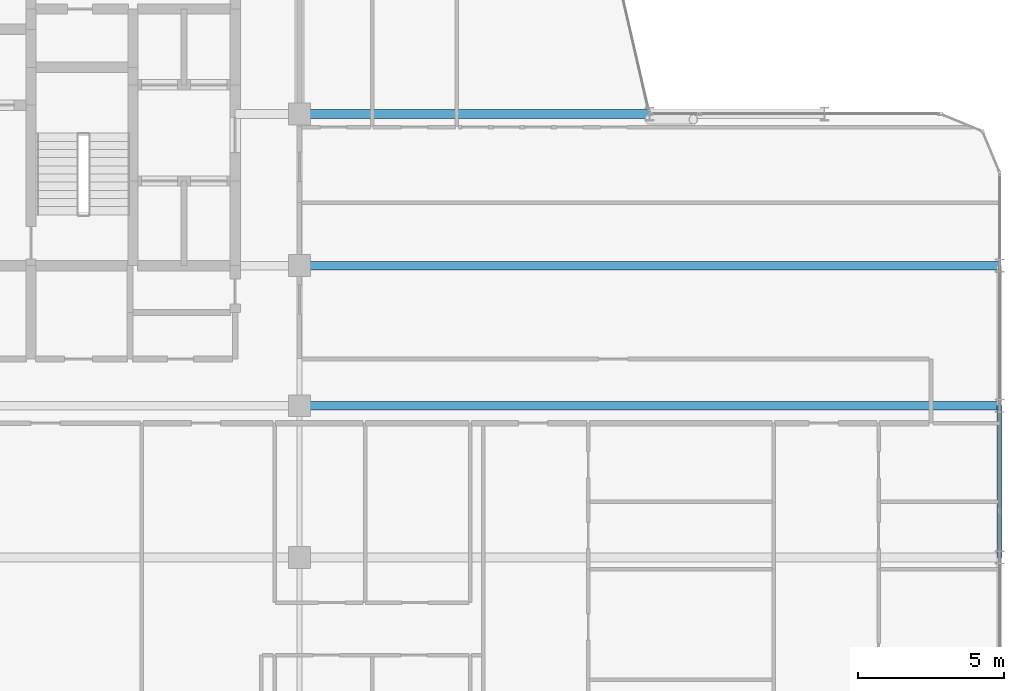
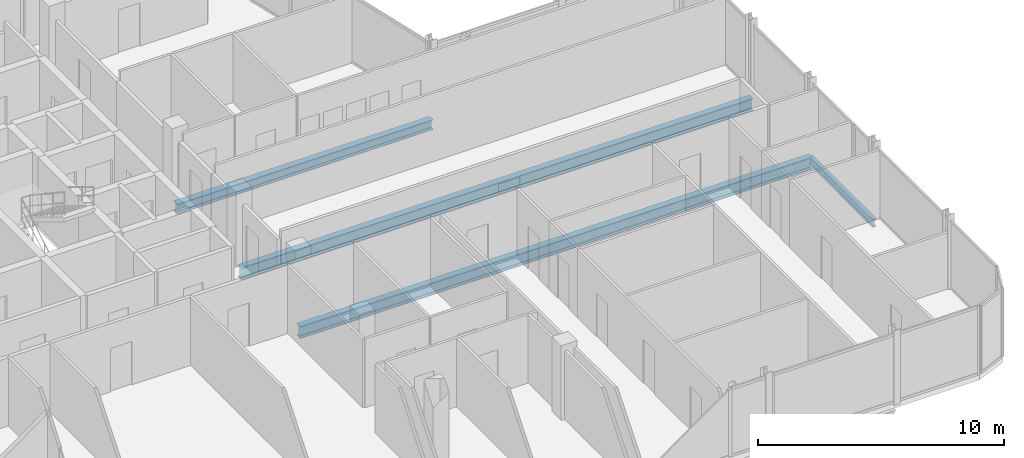
# One storey, part 13 of 29: 4 beams.
"""IFC4 building model written with IfcOpenShell, lengths in metres."""

from ifc_helpers import new_model, si_unit, direction, frame, origin, origin_2d, place, context, subcontext, project, spatial, i_section, extrude, material, material_profile, profile_set, type_object, element, save


model = new_model("IFC4")

# Units and contexts
model_context = context("Model", 3, precision=1e-05, world=origin(), true_north=direction((0.0, 1.0)))
body_context = subcontext(model_context, "Body", "Model", "MODEL_VIEW")
ifc_project = project(units=[si_unit("LENGTHUNIT", "METRE"), si_unit("AREAUNIT", "SQUARE_METRE"), si_unit("VOLUMEUNIT", "CUBIC_METRE"), si_unit("PLANEANGLEUNIT", "RADIAN"), si_unit("MASSUNIT", "GRAM", prefix="KILO")], contexts=[model_context])

# Site, building, storey
site_placement = place(None, origin())
site = spatial("IfcSite", under=ifc_project, at=site_placement, CompositionType="ELEMENT")
building_placement = place(site_placement, origin())
building = spatial("IfcBuilding", under=site, at=building_placement, Name="Keshet Zoharim Tower", CompositionType="ELEMENT")
storey_placement = place(building_placement, frame((0.0, 0.0, 206.89990234375)))
storey = spatial("IfcBuildingStorey", under=building, at=storey_placement, Name="L51", CompositionType="ELEMENT", Elevation=206.89990234375)

# Beams
ifc_material = material(Name="Steel S355", Category="steel")
ifc_material_profile_1 = material_profile(ifc_material, i_section(OverallWidth=0.300048828125, OverallDepth=0.60009765625, WebThickness=0.015380859375, FlangeThickness=0.030029296875, FilletRadius=0.027099609375, at=origin_2d()), Name="HEB600")
ifc_profile_set_1 = profile_set([ifc_material_profile_1], Name="Steel S355")
beam_type_1 = type_object("IfcBeamType", Name="BM-LNG-HB600", PredefinedType="BEAM", material=ifc_profile_set_1)
for number, where, z_axis, x_axis, name in (
    (1, (33.0, 17.89990234375, -0.60986328125), (1.0, 0.0, 0.0), (0.0, 1.0, 0.0), "L51 Primary Girder X-013"),
    (2, (33.0, 22.699951171875, -0.60986328125), (1.0, 0.0, 0.0), (0.0, 1.0, 0.0), "L51 Primary Girder X-014"),
):
    element("IfcBeam", number, at=place(storey_placement, frame(where, z_axis=z_axis, x_axis=x_axis)), inside=storey, type_object=beam_type_1, Name=name, PredefinedType="BEAM", context=body_context, shape_type="SweptSolid", body=[
        extrude(i_section(OverallWidth=0.300048828125, OverallDepth=0.60009765625, WebThickness=0.015380859375, FlangeThickness=0.030029296875, FilletRadius=0.027099609375, at=origin_2d()), origin(), (0.0, 0.0, 1.0), 24.0),
    ])
ifc_material_profile_2 = material_profile(ifc_material, i_section(OverallWidth=0.300048828125, OverallDepth=0.5, WebThickness=0.014404296875, FlangeThickness=0.028076171875, FilletRadius=0.027099609375, at=origin_2d()), Name="HEB500")
ifc_profile_set_2 = profile_set([ifc_material_profile_2], Name="Steel S355")
beam_type_2 = type_object("IfcBeamType", Name="BM-MED-HB500", PredefinedType="BEAM", material=ifc_profile_set_2)
beam_1_placement = place(storey_placement, frame((33.0, 27.89990234375, -0.559814453125), z_axis=(1.0, 0.0, 0.0), x_axis=(0.0, 1.0, 0.0)))
element("IfcBeam", 3, at=beam_1_placement, inside=storey, type_object=beam_type_2, Name="L51 Primary Girder X-015", PredefinedType="BEAM", context=body_context, shape_type="SweptSolid", body=[
    extrude(i_section(OverallWidth=0.300048828125, OverallDepth=0.5, WebThickness=0.014404296875, FlangeThickness=0.028076171875, FilletRadius=0.027099609375, at=origin_2d()), origin(), (0.0, 0.0, 1.0), 12.0),
])
ifc_material_profile_3 = material_profile(ifc_material, i_section(OverallWidth=0.179931640625, OverallDepth=0.39990234375, WebThickness=0.008544921875, FlangeThickness=0.013427734375, FilletRadius=0.02099609375, at=origin_2d()), Name="IPE400")
ifc_profile_set_3 = profile_set([ifc_material_profile_3], Name="Steel S355")
beam_type_3 = type_object("IfcBeamType", Name="BM-PRI-IP400", PredefinedType="BEAM", material=ifc_profile_set_3)
beam_2_placement = place(storey_placement, frame((57.0, 12.699951171875, -0.510009765625), z_axis=(0.0, 1.0, 0.0), x_axis=(-1.0, 0.0, 0.0)))
element("IfcBeam", 4, at=beam_2_placement, inside=storey, type_object=beam_type_3, Name="L51 Primary Girder Y-014", PredefinedType="BEAM", context=body_context, shape_type="SweptSolid", body=[
    extrude(i_section(OverallWidth=0.179931640625, OverallDepth=0.39990234375, WebThickness=0.008544921875, FlangeThickness=0.013427734375, FilletRadius=0.02099609375, at=origin_2d()), origin(), (0.0, 0.0, 1.0), 5.199951171875),
])

save(model, "model.ifc")
